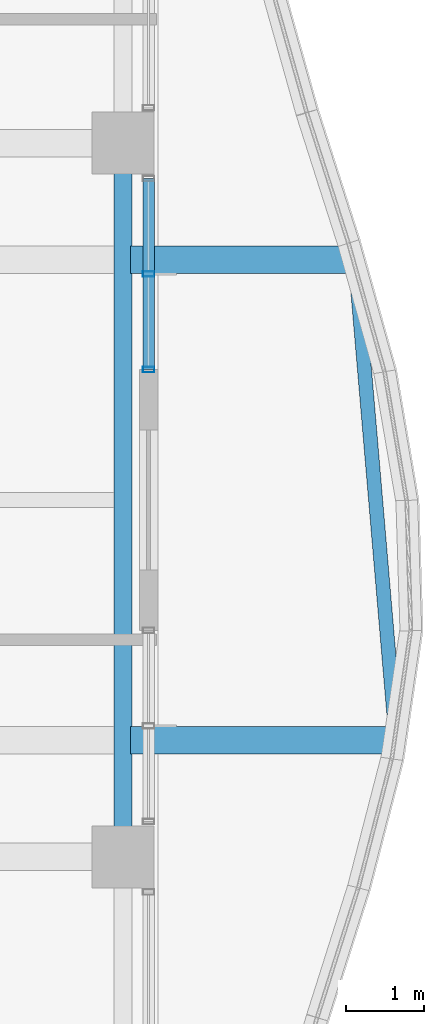
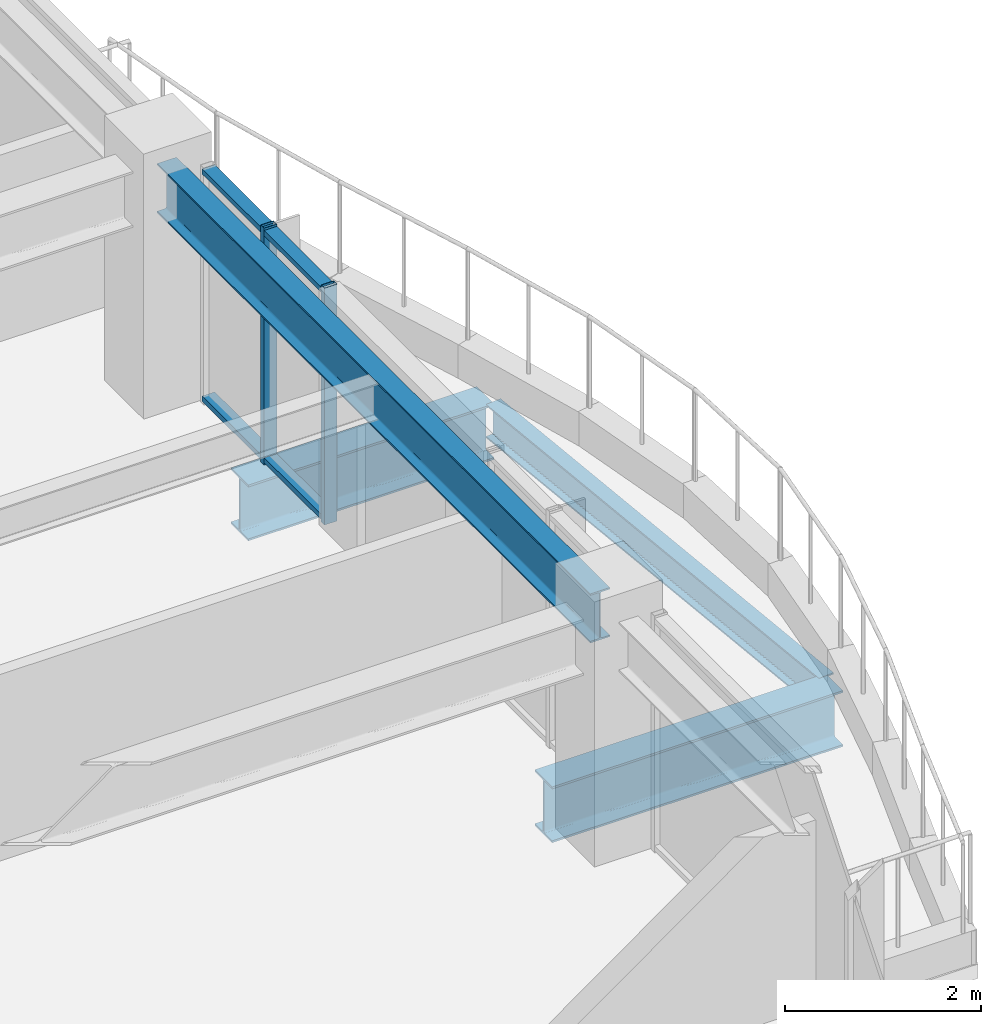
# One storey, part 14 of 34: 4 beams, 4 members, 1 element without a shape of its own.
"""IFC4 building model written with IfcOpenShell, lengths in metres."""

from ifc_helpers import new_model, si_unit, direction, frame, origin, origin_2d, place, context, subcontext, project, spatial, hollow_rectangle, i_section, extrude, material, material_profile, profile_set, type_object, element, aggregate, save


model = new_model("IFC4")

# Units and contexts
model_context = context("Model", 3, precision=1e-05, world=origin(), true_north=direction((0.0, 1.0)))
body_context = subcontext(model_context, "Body", "Model", "MODEL_VIEW")
ifc_project = project(units=[si_unit("LENGTHUNIT", "METRE"), si_unit("AREAUNIT", "SQUARE_METRE"), si_unit("VOLUMEUNIT", "CUBIC_METRE"), si_unit("PLANEANGLEUNIT", "RADIAN"), si_unit("MASSUNIT", "GRAM", prefix="KILO")], contexts=[model_context])

# Site, building, storey
site_placement = place(None, origin())
site = spatial("IfcSite", under=ifc_project, at=site_placement, CompositionType="ELEMENT")
building_placement = place(site_placement, origin())
building = spatial("IfcBuilding", under=site, at=building_placement, Name="Kolvaren Belvedere", CompositionType="ELEMENT")
storey_placement = place(building_placement, frame((0.0, 0.0, 229.5)))
storey = spatial("IfcBuildingStorey", under=building, at=storey_placement, Name="L67", CompositionType="ELEMENT", Elevation=229.5)

# Beams
ifc_material_1 = material(Name="Structural steel ASTM A992 Grade 50", Category="steel")
ifc_material_profile_1 = material_profile(ifc_material_1, i_section(OverallWidth=0.35498046875, OverallDepth=0.696044921875, WebThickness=0.015380859375, FlangeThickness=0.02490234375, FilletRadius=0.02197265625, at=origin_2d()), Name="W27X146")
ifc_profile_set_1 = profile_set([ifc_material_profile_1], Name="Structural steel ASTM A992 Grade 50")
beam_type_1 = type_object("IfcBeamType", Name="BM-CANT-BAL", PredefinedType="BEAM", material=ifc_profile_set_1)
beam_1_placement = place(storey_placement, frame((20.044921875, -3.10009765625, -0.568115234375), z_axis=(1.0, 0.0, 0.0), x_axis=(0.0, 1.0, 0.0)))
element("IfcBeam", 1, at=beam_1_placement, inside=storey, type_object=beam_type_1, Name="L67 Planted Balcony Cantilever BAL-E-1", PredefinedType="BEAM", context=body_context, shape_type="SweptSolid", body=[
    extrude(i_section(OverallWidth=0.35498046875, OverallDepth=0.696044921875, WebThickness=0.015380859375, FlangeThickness=0.02490234375, FilletRadius=0.02197265625, at=origin_2d()), origin(), (0.0, 0.0, 1.0), 3.425537109375),
])
beam_2_placement = place(storey_placement, frame((20.044921875, 3.10009765625, -0.568115234375), z_axis=(1.0, 0.0, 0.0), x_axis=(0.0, 1.0, 0.0)))
element("IfcBeam", 2, at=beam_2_placement, inside=storey, type_object=beam_type_1, Name="L67 Planted Balcony Cantilever BAL-E-2", PredefinedType="BEAM", context=body_context, shape_type="SweptSolid", body=[
    extrude(i_section(OverallWidth=0.35498046875, OverallDepth=0.696044921875, WebThickness=0.015380859375, FlangeThickness=0.02490234375, FilletRadius=0.02197265625, at=origin_2d()), origin(), (0.0, 0.0, 1.0), 2.896484375),
])
ifc_material_2 = material(Name="Structural steel ASTM A992 Grade 50", Category="steel")
ifc_material_profile_2 = material_profile(ifc_material_2, i_section(OverallWidth=0.180908203125, OverallDepth=0.4169921875, WebThickness=0.010986328125, FlangeThickness=0.018310546875, FilletRadius=0.013916015625, at=origin_2d()), Name="W16X57")
ifc_profile_set_2 = profile_set([ifc_material_profile_2], Name="Structural steel ASTM A992 Grade 50")
beam_type_2 = type_object("IfcBeamType", Name="BM-EDGE-W16X57", PredefinedType="BEAM", material=ifc_profile_set_2)
beam_3_placement = place(storey_placement, frame((23.45849609375, -2.96044921875, -0.428466796875), z_axis=(-0.085003773793, 0.996380629298, 0.0), x_axis=(-0.996380629298, -0.085003773793, 0.0)))
element("IfcBeam", 3, at=beam_3_placement, inside=storey, type_object=beam_type_2, Name="L67 Balcony Tip Header Beam BAL-E", PredefinedType="BEAM", context=body_context, shape_type="SweptSolid", body=[
    extrude(i_section(OverallWidth=0.180908203125, OverallDepth=0.4169921875, WebThickness=0.010986328125, FlangeThickness=0.018310546875, FilletRadius=0.013916015625, at=origin_2d()), origin(), (0.0, 0.0, 1.0), 5.9423828125),
])
ifc_material_3 = material(Name="Structural steel ASTM A992 Grade 50", Category="steel")
ifc_material_profile_3 = material_profile(ifc_material_3, i_section(OverallWidth=0.22900390625, OverallDepth=0.612060546875, WebThickness=0.011962890625, FlangeThickness=0.01953125, FilletRadius=0.01806640625, at=origin_2d()), Name="W24X84")
ifc_profile_set_3 = profile_set([ifc_material_profile_3], Name="Structural steel ASTM A992 Grade 50")
beam_type_3 = type_object("IfcBeamType", Name="BM-SPAN-W24X84", PredefinedType="SPANDREL", material=ifc_profile_set_3)
beam_4_placement = place(storey_placement, frame((19.949951171875, -4.419921875, 2.64404296875), z_axis=(0.0, 1.0, 0.0), x_axis=(-1.0, 0.0, 0.0)))
element("IfcBeam", 4, at=beam_4_placement, inside=storey, type_object=beam_type_3, Name="L67 Perimeter Spandrel E2-E3", PredefinedType="SPANDREL", context=body_context, shape_type="SweptSolid", body=[
    extrude(i_section(OverallWidth=0.22900390625, OverallDepth=0.612060546875, WebThickness=0.011962890625, FlangeThickness=0.01953125, FilletRadius=0.01806640625, at=origin_2d()), origin(), (0.0, 0.0, 1.0), 8.83984375),
])

# Curtain wall, members
ifc_material_4 = material(Name="Anodised pale-metal aluminium AA 6063-T6", Category="aluminium")
curtain_wall_type = type_object("IfcCurtainWallType", Name="CW-Z5-HIGH", PredefinedType="NOTDEFINED", material=ifc_material_4)
curtain_wall_placement = place(storey_placement, origin())
curtain_wall = element("IfcCurtainWall", 5, at=curtain_wall_placement, inside=storey, type_object=curtain_wall_type, Name="L67 Unitised Curtain Wall FCW-L67-E1-B2", PredefinedType="NOTDEFINED")
ifc_material_5 = material(Name="Anodised pale-metal aluminium AA 6063-T6", Category="aluminium")
ifc_material_profile_4 = material_profile(ifc_material_5, hollow_rectangle(XDim=0.070068359375, YDim=0.14990234375, WallThickness=0.004150390625, at=origin_2d()), Name="ALU-MUL-150X70")
ifc_profile_set_4 = profile_set([ifc_material_profile_4], Name="Anodised pale-metal aluminium AA 6063-T6")
member_type_1 = type_object("IfcMemberType", Name="CW-MUL-150", PredefinedType="MULLION", material=ifc_profile_set_4)
member_1_placement = place(storey_placement, frame((20.280029296875, 2.91259765625, 0.0), z_axis=(0.0, 0.0, 1.0), x_axis=(0.0, 1.0, 0.0)))
member_1 = element("IfcMember", 6, at=member_1_placement, type_object=member_type_1, Name="FCW-L67-E1-B2 Unitised Mullion 2", PredefinedType="MULLION", context=body_context, shape_type="SweptSolid", body=[
    extrude(hollow_rectangle(XDim=0.070068359375, YDim=0.14990234375, WallThickness=0.004150390625, at=origin_2d()), origin(), (0.0, 0.0, 1.0), 2.949951171875),
])
member_2_placement = place(storey_placement, frame((20.280029296875, 1.679931640625, 0.0), z_axis=(0.0, 0.0, 1.0), x_axis=(0.0, 1.0, 0.0)))
member_2 = element("IfcMember", 7, at=member_2_placement, type_object=member_type_1, Name="FCW-L67-E1-B2 Unitised Mullion 3", PredefinedType="MULLION", context=body_context, shape_type="SweptSolid", body=[
    extrude(hollow_rectangle(XDim=0.070068359375, YDim=0.14990234375, WallThickness=0.004150390625, at=origin_2d()), origin(), (0.0, 0.0, 1.0), 2.949951171875),
])
ifc_material_6 = material(Name="Anodised pale-metal aluminium AA 6063-T6", Category="aluminium")
ifc_material_profile_5 = material_profile(ifc_material_6, hollow_rectangle(XDim=0.06494140625, YDim=0.14990234375, WallThickness=0.00390625, at=origin_2d()), Name="ALU-TRN-150X65")
ifc_profile_set_5 = profile_set([ifc_material_profile_5], Name="Anodised pale-metal aluminium AA 6063-T6")
member_type_2 = type_object("IfcMemberType", Name="CW-TRN-150", PredefinedType="USERDEFINED", material=ifc_profile_set_5)
member_3_placement = place(storey_placement, frame((20.280029296875, 4.14501953125, 0.06005859375), z_axis=(0.0, -1.0, 0.0), x_axis=(0.0, 0.0, 1.0)))
member_3 = element("IfcMember", 8, at=member_3_placement, type_object=member_type_2, Name="FCW-L67-E1-B2 Sill Transom", ObjectType="TRANSOM", PredefinedType="USERDEFINED", context=body_context, shape_type="SweptSolid", body=[
    extrude(hollow_rectangle(XDim=0.06494140625, YDim=0.14990234375, WallThickness=0.00390625, at=origin_2d()), origin(), (0.0, 0.0, 1.0), 2.465087890625),
])
member_4_placement = place(storey_placement, frame((20.280029296875, 4.14501953125, 2.889892578125), z_axis=(0.0, -1.0, 0.0), x_axis=(0.0, 0.0, 1.0)))
member_4 = element("IfcMember", 9, at=member_4_placement, type_object=member_type_2, Name="FCW-L67-E1-B2 Head Transom", ObjectType="TRANSOM", PredefinedType="USERDEFINED", context=body_context, shape_type="SweptSolid", body=[
    extrude(hollow_rectangle(XDim=0.06494140625, YDim=0.14990234375, WallThickness=0.00390625, at=origin_2d()), origin(), (0.0, 0.0, 1.0), 2.465087890625),
])
aggregate(curtain_wall, [member_1, member_2, member_3, member_4])

save(model, "model.ifc")
